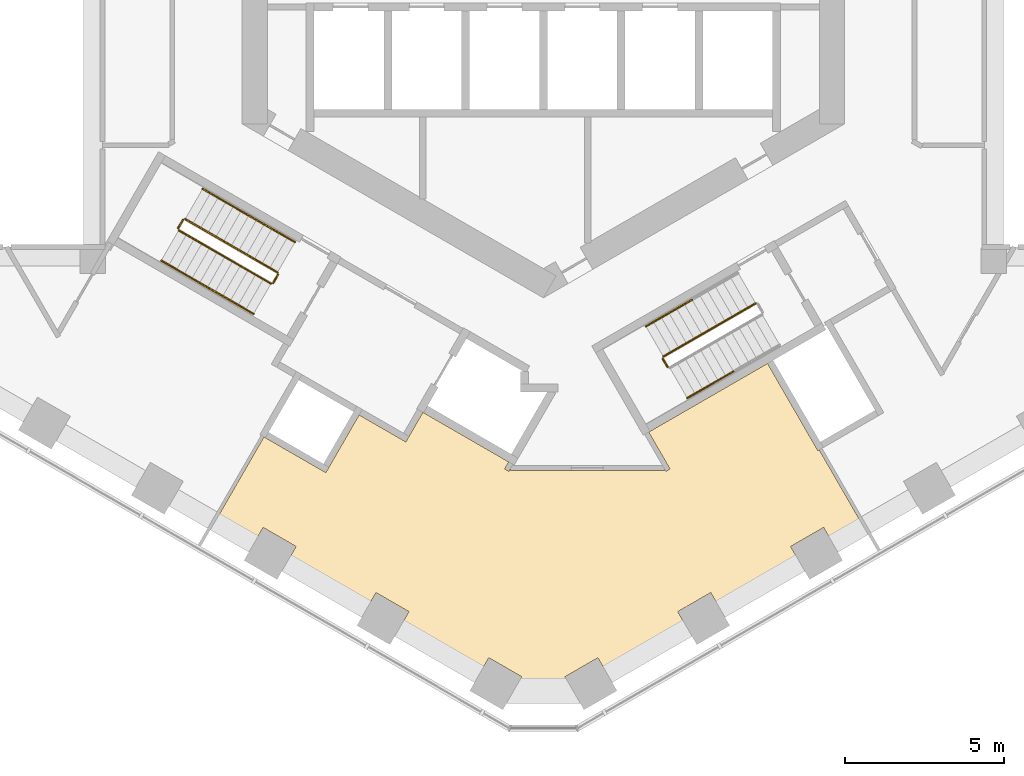
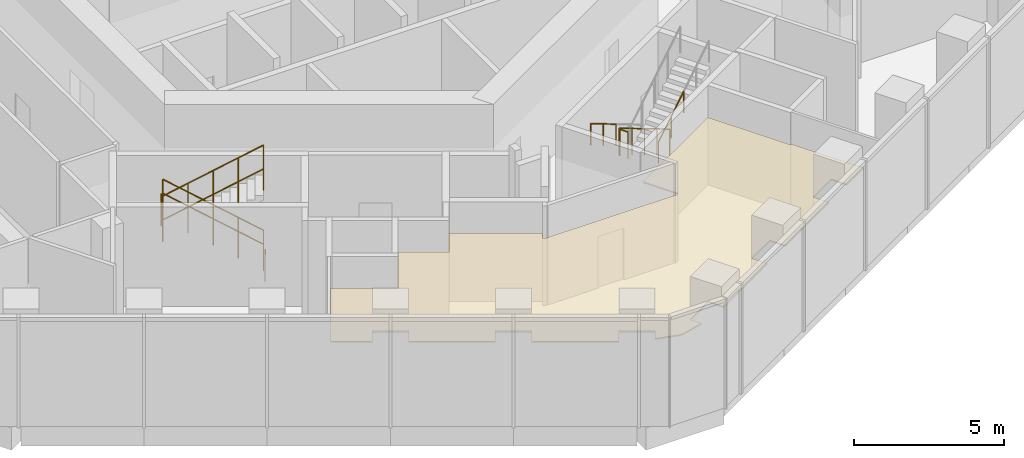
# One storey, part 13 of 14: 12 railings, 1 covering.
"""IFC4 building model written with IfcOpenShell, lengths in metres."""

from ifc_helpers import new_model, si_unit, direction, frame, origin, origin_2d, place, context, subcontext, project, spatial, polyline, circle, outline, extrude, material, layer, layer_set, type_object, element, save


model = new_model("IFC4")

# Units and contexts
model_context = context("Model", 3, precision=1e-05, world=origin(), true_north=direction((0.0, 1.0)))
body_context = subcontext(model_context, "Body", "Model", "MODEL_VIEW")
ifc_project = project(units=[si_unit("LENGTHUNIT", "METRE"), si_unit("AREAUNIT", "SQUARE_METRE"), si_unit("VOLUMEUNIT", "CUBIC_METRE"), si_unit("PLANEANGLEUNIT", "RADIAN"), si_unit("MASSUNIT", "GRAM", prefix="KILO")], contexts=[model_context])

# Site, building, storey
site_placement = place(None, origin())
site = spatial("IfcSite", under=ifc_project, at=site_placement, CompositionType="ELEMENT")
building_placement = place(site_placement, origin())
building = spatial("IfcBuilding", under=site, at=building_placement, Name="Ayvan Gate Tower", CompositionType="ELEMENT")
storey_placement = place(building_placement, frame((0.0, 0.0, 16.0)))
storey = spatial("IfcBuildingStorey", under=building, at=storey_placement, Name="L03", CompositionType="ELEMENT", Elevation=16.0)

# Covering
ifc_material_1 = material(Name="Plasterboard suspended ceiling")
ifc_layer = layer(ifc_material_1, 0.050048828125)
ifc_layer_set = layer_set([ifc_layer], Name="Plasterboard suspended ceiling")
covering_type = type_object("IfcCoveringType", Name="CT-SUSP-50", PredefinedType="CEILING", material=ifc_layer_set)
covering_placement = place(storey_placement, frame((0.0, 0.0, 2.699951171875)))
element("IfcCovering", 1, at=covering_placement, inside=storey, type_object=covering_type, Name="Ceiling Yoga Studio L03", PredefinedType="CEILING", context=body_context, shape_type="SweptSolid", body=[
    extrude(outline(polyline([(-6.858154296875, -16.478515625), (-6.76806640625, -16.32275390625), (-5.80810546875, -14.659912109375), (-4.3359375, -15.510009765625), (-4.245849609375, -15.35400390625), (-4.235595703125, -15.33642578125), (-3.798583984375, -14.5791015625), (-3.775390625, -14.59228515625), (-1.092041015625, -16.1416015625), (-1.22021484375, -16.36328125), (-1.090087890625, -16.4384765625), (-1.042724609375, -16.35595703125), (-1.042724609375, -16.410888671875), (3.81396484375, -16.410888671875), (3.81396484375, -16.35595703125), (3.861572265625, -16.4384765625), (3.991455078125, -16.36328125), (3.320556640625, -15.201416015625), (3.346435546875, -15.186279296875), (7.066162109375, -13.038818359375), (8.653564453125, -15.78857421875), (8.697021484375, -15.763427734375), (10.089111328125, -18.175048828125), (9.133544921875, -18.726806640625), (8.83349609375, -18.207275390625), (7.794189453125, -18.80712890625), (8.09423828125, -19.326904296875), (6.238037109375, -20.3984375), (5.576416015625, -20.780517578125), (5.276611328125, -20.2607421875), (4.2373046875, -20.86083984375), (4.537353515625, -21.38037109375), (2.01953125, -22.833984375), (1.719482421875, -22.314453125), (0.680419921875, -22.914306640625), (0.89990234375, -23.294677734375), (0.0, -23.535888671875), (-0.89990234375, -23.294677734375), (-0.680419921875, -22.914306640625), (-1.719482421875, -22.314453125), (-2.01953125, -22.833984375), (-4.159423828125, -21.598388671875), (-4.537353515625, -21.38037109375), (-4.2373046875, -20.86083984375), (-5.276611328125, -20.2607421875), (-5.576416015625, -20.780517578125), (-8.09423828125, -19.326904296875), (-7.794189453125, -18.80712890625), (-8.83349609375, -18.207275390625), (-9.133544921875, -18.726806640625), (-10.34912109375, -18.02490234375), (-8.806640625, -15.353515625), (-8.763427734375, -15.378662109375), (-6.858154296875, -16.478515625)])), origin(), (0.0, 0.0, 1.0), 0.050048828125),
])

# Railings
ifc_material_2 = material(Name="Stainless steel balustrade", Category="steel")
railing_type_1 = type_object("IfcRailingType", Name="RL-GUARD-1100", PredefinedType="GUARDRAIL", material=ifc_material_2)
railing_1_placement = place(storey_placement, frame((-8.381103515625, -10.16650390625, 0.173095703125)))
element("IfcRailing", 2, at=railing_1_placement, inside=storey, type_object=railing_type_1, Name="L03 STS2 stair guard 1", PredefinedType="GUARDRAIL", context=body_context, shape_type="SweptSolid", body=[
    extrude(circle(Radius=0.02392578125, at=origin_2d()), frame((0.0, 0.0, 1.076171875), z_axis=(-0.736667954249, 0.425288379326, 0.525785240943), x_axis=(-0.499976138585, -0.866039179741, 0.0)), (0.0, 0.0, 1.0), 3.9501953125),
    extrude(circle(Radius=0.02099609375, at=origin_2d()), origin(), (0.0, 0.0, 1.0), 1.052001953125),
    extrude(circle(Radius=0.02099609375, at=origin_2d()), frame((-0.7275390625, 0.419921875, 0.519287109375)), (0.0, 0.0, 1.0), 1.052001953125),
    extrude(circle(Radius=0.02099609375, at=origin_2d()), frame((-1.455078125, 0.83984375, 1.03857421875)), (0.0, 0.0, 1.0), 1.052001953125),
    extrude(circle(Radius=0.02099609375, at=origin_2d()), frame((-2.182373046875, 1.260009765625, 1.5576171875)), (0.0, 0.0, 1.0), 1.052001953125),
    extrude(circle(Radius=0.02099609375, at=origin_2d()), frame((-2.909912109375, 1.679931640625, 2.076904296875)), (0.0, 0.0, 1.0), 1.052001953125),
])
railing_2_placement = place(storey_placement, frame((-11.359130859375, -8.5048828125, 2.25)))
element("IfcRailing", 3, at=railing_2_placement, inside=storey, type_object=railing_type_1, Name="L03 STS2 stair guard 2", PredefinedType="GUARDRAIL", context=body_context, shape_type="SweptSolid", body=[
    extrude(circle(Radius=0.02392578125, at=origin_2d()), frame((0.0, 0.0, 1.076171875), z_axis=(-0.500290723946, -0.86585748916, 0.0), x_axis=(0.86585748916, -0.500290723946, 0.0)), (0.0, 0.0, 1.0), 0.309814453125),
    extrude(circle(Radius=0.02099609375, at=origin_2d()), origin(), (0.0, 0.0, 1.0), 1.052001953125),
    extrude(circle(Radius=0.02099609375, at=origin_2d()), frame((-0.155029296875, -0.268310546875, 0.0)), (0.0, 0.0, 1.0), 1.052001953125),
])
railing_3_placement = place(storey_placement, frame((-11.495849609375, -8.841552734375, 2.423095703125)))
element("IfcRailing", 4, at=railing_3_placement, inside=storey, type_object=railing_type_1, Name="L03 STS2 stair guard 3", PredefinedType="GUARDRAIL", context=body_context, shape_type="SweptSolid", body=[
    extrude(circle(Radius=0.02392578125, at=origin_2d()), frame((0.0, 0.0, 1.076171875), z_axis=(0.736639687092, -0.425307743487, 0.525809180911), x_axis=(0.500007602105, 0.866021014662, 0.0)), (0.0, 0.0, 1.0), 3.949951171875),
    extrude(circle(Radius=0.02099609375, at=origin_2d()), origin(), (0.0, 0.0, 1.0), 1.052001953125),
    extrude(circle(Radius=0.02099609375, at=origin_2d()), frame((0.7275390625, -0.419921875, 0.519287109375)), (0.0, 0.0, 1.0), 1.052001953125),
    extrude(circle(Radius=0.02099609375, at=origin_2d()), frame((1.454833984375, -0.83984375, 1.03857421875)), (0.0, 0.0, 1.0), 1.052001953125),
    extrude(circle(Radius=0.02099609375, at=origin_2d()), frame((2.18212890625, -1.260009765625, 1.5576171875)), (0.0, 0.0, 1.0), 1.052001953125),
    extrude(circle(Radius=0.02099609375, at=origin_2d()), frame((2.90966796875, -1.679931640625, 2.076904296875)), (0.0, 0.0, 1.0), 1.052001953125),
])
railing_4_placement = place(storey_placement, frame((-8.36279296875, -10.23486328125, 0.0)))
element("IfcRailing", 5, at=railing_4_placement, inside=storey, type_object=railing_type_1, Name="L03 STS2 stair guard 4", PredefinedType="GUARDRAIL", context=body_context, shape_type="SweptSolid", body=[
    extrude(circle(Radius=0.02392578125, at=origin_2d()), frame((0.0, 0.0, 1.076171875), z_axis=(-0.500290723946, -0.86585748916, 0.0), x_axis=(0.86585748916, -0.500290723946, 0.0)), (0.0, 0.0, 1.0), 0.309814453125),
    extrude(circle(Radius=0.02099609375, at=origin_2d()), origin(), (0.0, 0.0, 1.0), 1.052001953125),
    extrude(circle(Radius=0.02099609375, at=origin_2d()), frame((-0.155029296875, -0.268310546875, 0.0)), (0.0, 0.0, 1.0), 1.052001953125),
])
railing_5_placement = place(storey_placement, frame((6.6923828125, -11.1416015625, 0.173095703125)))
element("IfcRailing", 6, at=railing_5_placement, inside=storey, type_object=railing_type_1, Name="L03 STS3 stair guard 1", PredefinedType="GUARDRAIL", context=body_context, shape_type="SweptSolid", body=[
    extrude(circle(Radius=0.02392578125, at=origin_2d()), frame((0.0, 0.0, 1.076171875), z_axis=(-0.736667954249, -0.425288379326, 0.525785240943), x_axis=(0.499976138585, -0.866039179741, 0.0)), (0.0, 0.0, 1.0), 3.9501953125),
    extrude(circle(Radius=0.02099609375, at=origin_2d()), origin(), (0.0, 0.0, 1.0), 1.052001953125),
    extrude(circle(Radius=0.02099609375, at=origin_2d()), frame((-0.7275390625, -0.419921875, 0.519287109375)), (0.0, 0.0, 1.0), 1.052001953125),
    extrude(circle(Radius=0.02099609375, at=origin_2d()), frame((-1.455078125, -0.83984375, 1.03857421875)), (0.0, 0.0, 1.0), 1.052001953125),
    extrude(circle(Radius=0.02099609375, at=origin_2d()), frame((-2.182373046875, -1.260009765625, 1.5576171875)), (0.0, 0.0, 1.0), 1.052001953125),
    extrude(circle(Radius=0.02099609375, at=origin_2d()), frame((-2.909912109375, -1.679931640625, 2.076904296875)), (0.0, 0.0, 1.0), 1.052001953125),
])
railing_6_placement = place(storey_placement, frame((3.76416015625, -12.889892578125, 2.25)))
element("IfcRailing", 7, at=railing_6_placement, inside=storey, type_object=railing_type_1, Name="L03 STS3 stair guard 2", PredefinedType="GUARDRAIL", context=body_context, shape_type="SweptSolid", body=[
    extrude(circle(Radius=0.02392578125, at=origin_2d()), frame((0.0, 0.0, 1.076171875), z_axis=(0.500290723946, -0.86585748916, 0.0), x_axis=(0.86585748916, 0.500290723946, 0.0)), (0.0, 0.0, 1.0), 0.309814453125),
    extrude(circle(Radius=0.02099609375, at=origin_2d()), origin(), (0.0, 0.0, 1.0), 1.052001953125),
    extrude(circle(Radius=0.02099609375, at=origin_2d()), frame((0.155029296875, -0.268310546875, 0.0)), (0.0, 0.0, 1.0), 1.052001953125),
])
railing_type_2 = type_object("IfcRailingType", Name="RL-HANDRAIL-900", PredefinedType="HANDRAIL", material=ifc_material_2)
railing_7_placement = place(storey_placement, frame((-7.8310546875, -9.2138671875, 0.173095703125)))
element("IfcRailing", 8, at=railing_7_placement, inside=storey, type_object=railing_type_2, Name="L03 STS2 stair handrail 1", PredefinedType="HANDRAIL", context=body_context, shape_type="SweptSolid", body=[
    extrude(circle(Radius=0.02392578125, at=origin_2d()), frame((0.0, 0.0, 0.8759765625), z_axis=(-0.736700790218, 0.425333459587, 0.525702761879), x_axis=(-0.499999171277, -0.866025882247, 0.0)), (0.0, 0.0, 1.0), 1.97509765625),
    extrude(circle(Radius=0.02099609375, at=origin_2d()), origin(), (0.0, 0.0, 1.0), 0.851806640625),
    extrude(circle(Radius=0.02099609375, at=origin_2d()), frame((-0.7275390625, 0.419921875, 0.51904296875)), (0.0, 0.0, 1.0), 0.851806640625),
    extrude(circle(Radius=0.02099609375, at=origin_2d()), frame((-1.455078125, 0.840087890625, 1.038330078125)), (0.0, 0.0, 1.0), 0.851806640625),
])
railing_8_placement = place(storey_placement, frame((-9.2861328125, -8.373779296875, 1.21142578125)))
element("IfcRailing", 9, at=railing_8_placement, inside=storey, type_object=railing_type_2, Name="L03 STS2 stair handrail 2", PredefinedType="HANDRAIL", context=body_context, shape_type="SweptSolid", body=[
    extrude(circle(Radius=0.02392578125, at=origin_2d()), frame((0.0, 0.0, 0.8759765625), z_axis=(-0.736635108394, 0.425243291303, 0.52586772128), x_axis=(-0.499953100966, -0.866052479261, 0.0)), (0.0, 0.0, 1.0), 1.974853515625),
    extrude(circle(Radius=0.02099609375, at=origin_2d()), origin(), (0.0, 0.0, 1.0), 0.851806640625),
    extrude(circle(Radius=0.02099609375, at=origin_2d()), frame((-0.7275390625, 0.419921875, 0.519287109375)), (0.0, 0.0, 1.0), 0.851806640625),
    extrude(circle(Radius=0.02099609375, at=origin_2d()), frame((-1.454833984375, 0.83984375, 1.03857421875)), (0.0, 0.0, 1.0), 0.851806640625),
])
railing_9_placement = place(storey_placement, frame((-12.0458984375, -9.794189453125, 2.423095703125)))
element("IfcRailing", 10, at=railing_9_placement, inside=storey, type_object=railing_type_2, Name="L03 STS2 stair handrail 3", PredefinedType="HANDRAIL", context=body_context, shape_type="SweptSolid", body=[
    extrude(circle(Radius=0.02392578125, at=origin_2d()), frame((0.0, 0.0, 0.8759765625), z_axis=(0.736644260248, -0.425372193239, 0.525750635817), x_axis=(0.500062097304, 0.865989548921, 0.0)), (0.0, 0.0, 1.0), 1.974853515625),
    extrude(circle(Radius=0.02099609375, at=origin_2d()), origin(), (0.0, 0.0, 1.0), 0.851806640625),
    extrude(circle(Radius=0.02099609375, at=origin_2d()), frame((0.7275390625, -0.419921875, 0.51904296875)), (0.0, 0.0, 1.0), 0.851806640625),
    extrude(circle(Radius=0.02099609375, at=origin_2d()), frame((1.454833984375, -0.840087890625, 1.038330078125)), (0.0, 0.0, 1.0), 0.851806640625),
])
railing_10_placement = place(storey_placement, frame((-10.591064453125, -10.63427734375, 3.46142578125)))
element("IfcRailing", 11, at=railing_10_placement, inside=storey, type_object=railing_type_2, Name="L03 STS2 stair handrail 4", PredefinedType="HANDRAIL", context=body_context, shape_type="SweptSolid", body=[
    extrude(circle(Radius=0.02392578125, at=origin_2d()), frame((0.0, 0.0, 0.8759765625), z_axis=(0.736691639328, -0.42520457035, 0.525819837869), x_axis=(0.499890179513, 0.866088799389, 0.0)), (0.0, 0.0, 1.0), 1.97509765625),
    extrude(circle(Radius=0.02099609375, at=origin_2d()), origin(), (0.0, 0.0, 1.0), 0.851806640625),
    extrude(circle(Radius=0.02099609375, at=origin_2d()), frame((0.7275390625, -0.419921875, 0.519287109375)), (0.0, 0.0, 1.0), 0.851806640625),
    extrude(circle(Radius=0.02099609375, at=origin_2d()), frame((1.455078125, -0.83984375, 1.03857421875)), (0.0, 0.0, 1.0), 0.851806640625),
])
railing_11_placement = place(storey_placement, frame((4.6875, -11.02880859375, 1.21142578125)))
element("IfcRailing", 12, at=railing_11_placement, inside=storey, type_object=railing_type_2, Name="L03 STS3 stair handrail 2", PredefinedType="HANDRAIL", context=body_context, shape_type="SweptSolid", body=[
    extrude(circle(Radius=0.02392578125, at=origin_2d()), frame((0.0, 0.0, 0.8759765625), z_axis=(-0.736652917841, -0.425305820519, 0.525792200083), x_axis=(0.499999171277, -0.866025882247, 0.0)), (0.0, 0.0, 1.0), 1.975341796875),
    extrude(circle(Radius=0.02099609375, at=origin_2d()), origin(), (0.0, 0.0, 1.0), 0.851806640625),
    extrude(circle(Radius=0.02099609375, at=origin_2d()), frame((-0.7275390625, -0.419921875, 0.519287109375)), (0.0, 0.0, 1.0), 0.851806640625),
    extrude(circle(Radius=0.02099609375, at=origin_2d()), frame((-1.455078125, -0.840087890625, 1.03857421875)), (0.0, 0.0, 1.0), 0.851806640625),
])
railing_12_placement = place(storey_placement, frame((4.53759765625, -14.129150390625, 2.423095703125)))
element("IfcRailing", 13, at=railing_12_placement, inside=storey, type_object=railing_type_2, Name="L03 STS3 stair handrail 3", PredefinedType="HANDRAIL", context=body_context, shape_type="SweptSolid", body=[
    extrude(circle(Radius=0.02392578125, at=origin_2d()), frame((0.0, 0.0, 0.8759765625), z_axis=(0.736682993367, 0.425270934248, 0.525778280045), x_axis=(-0.499953100966, 0.866052479261, 0.0)), (0.0, 0.0, 1.0), 1.974853515625),
    extrude(circle(Radius=0.02099609375, at=origin_2d()), origin(), (0.0, 0.0, 1.0), 0.851806640625),
    extrude(circle(Radius=0.02099609375, at=origin_2d()), frame((0.7275390625, 0.419921875, 0.51904296875)), (0.0, 0.0, 1.0), 0.851806640625),
    extrude(circle(Radius=0.02099609375, at=origin_2d()), frame((1.454833984375, 0.83984375, 1.038330078125)), (0.0, 0.0, 1.0), 0.851806640625),
])

save(model, "model.ifc")
